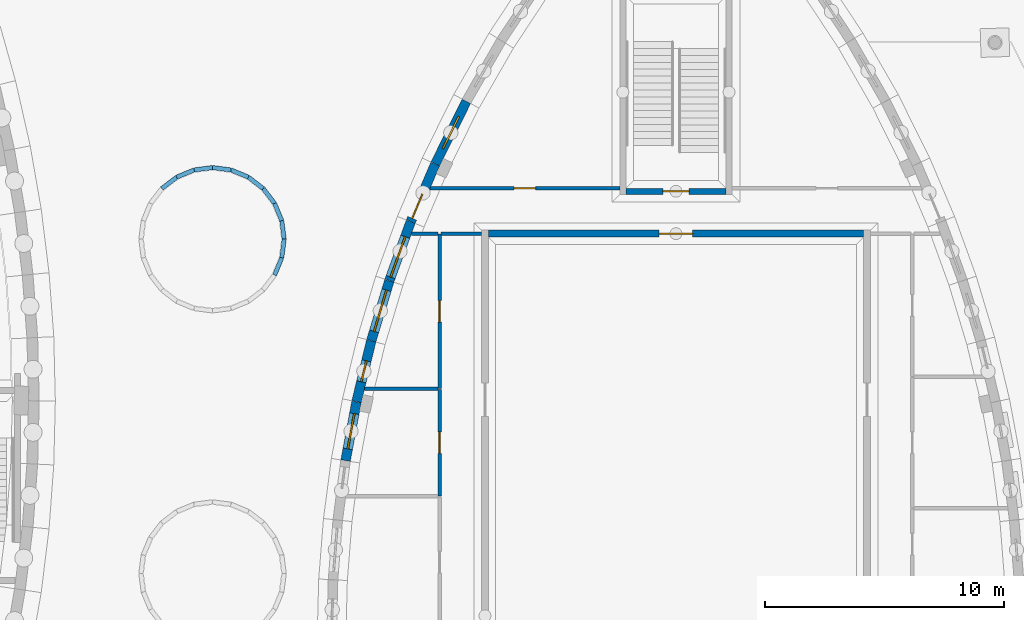
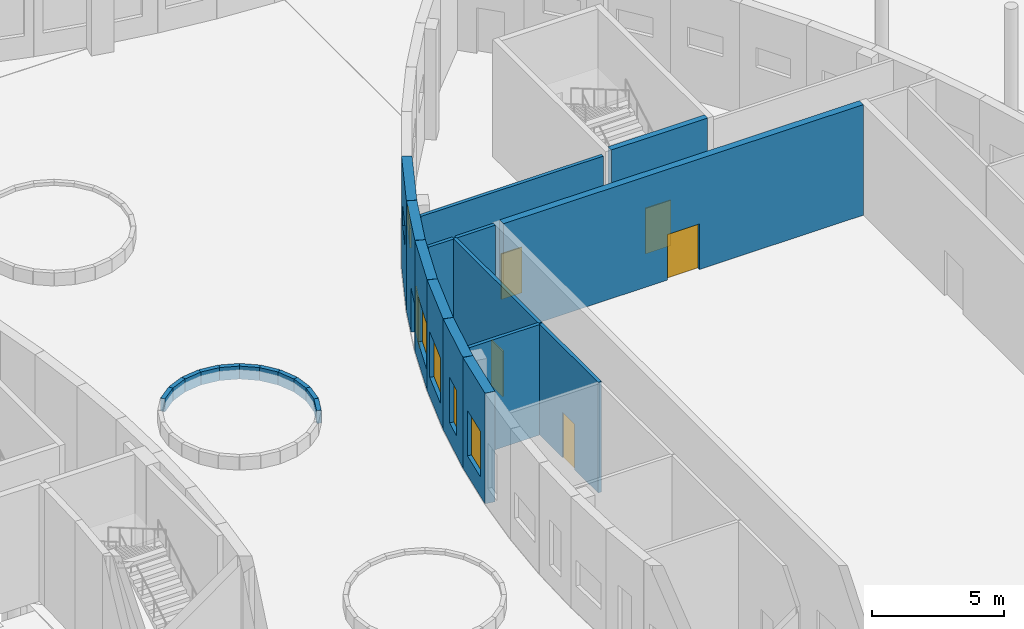
# One storey, part 54 of 82: 25 walls, 6 doors, 5 windows, 11 openings.
"""IFC4 building model written with IfcOpenShell, lengths in metres."""

from ifc_helpers import new_model, si_unit, direction, frame, frame_2d, origin, place, context, subcontext, project, spatial, rectangle, extrude, material, layer, layer_set, type_object, element, fill, save


model = new_model("IFC4")

# Units and contexts
model_context = context("Model", 3, precision=1e-05, world=origin(), true_north=direction((0.0, 1.0)))
body_context = subcontext(model_context, "Body", "Model", "MODEL_VIEW")
ifc_project = project(units=[si_unit("LENGTHUNIT", "METRE"), si_unit("AREAUNIT", "SQUARE_METRE"), si_unit("VOLUMEUNIT", "CUBIC_METRE"), si_unit("PLANEANGLEUNIT", "RADIAN"), si_unit("MASSUNIT", "GRAM", prefix="KILO")], contexts=[model_context])

# Site, building, storey
site_placement = place(None, origin())
site = spatial("IfcSite", under=ifc_project, at=site_placement, CompositionType="ELEMENT")
building_placement = place(site_placement, origin())
building = spatial("IfcBuilding", under=site, at=building_placement, Name="Tide Square Theatres", CompositionType="ELEMENT")
storey_placement = place(building_placement, origin())
storey = spatial("IfcBuildingStorey", under=building, at=storey_placement, Name="L00", CompositionType="ELEMENT", Elevation=0.0)

# Wall
ifc_material_1 = material(Name="Gypsum board on steel studs", Category="steel")
ifc_layer_1 = layer(ifc_material_1, 0.14990234375)
ifc_layer_set_1 = layer_set([ifc_layer_1], Name="Gypsum board on steel studs")
wall_type_1 = type_object("IfcWallType", Name="Partition 150 thick", PredefinedType="PARTITIONING", material=ifc_layer_set_1)
wall_1_placement = place(storey_placement, frame((123.8505859375, 62.0, 0.0), z_axis=(0.0, 0.0, 1.0), x_axis=(-1.0, 0.0, 0.0)))
element("IfcWall", 1, at=wall_1_placement, inside=storey, type_object=wall_type_1, Name="Black Box Theatre partition", PredefinedType="PARTITIONING", context=body_context, shape_type="SweptSolid", body=[
    extrude(rectangle(XDim=1.690673828125, YDim=0.14990234375, at=frame_2d((0.84521484375, 0.0))), origin(), (0.0, 0.0, 1.0), 5.10009765625),
])

# Wall, opening, door
wall_2_placement = place(storey_placement, frame((121.7041015625, 63.89990234375, 0.0), z_axis=(0.0, 0.0, 1.0), x_axis=(1.0, 0.0, 0.0)))
wall_2 = element("IfcWall", 2, at=wall_2_placement, inside=storey, type_object=wall_type_1, Name="Black Box Theatre partition", PredefinedType="PARTITIONING", context=body_context, shape_type="SweptSolid", body=[
    extrude(rectangle(XDim=7.9462890625, YDim=0.14990234375, at=frame_2d((3.97314453125, 0.0))), origin(), (0.0, 0.0, 1.0), 5.10009765625),
])
opening_1_placement = place(wall_2_placement, frame((3.523193359375, 0.0, 0.0)))
opening_1 = element("IfcOpeningElement", 3, at=opening_1_placement, cuts=wall_2, Name="Opening B00-09", PredefinedType="OPENING", context=body_context, shape_type="SweptSolid", body=[
    extrude(rectangle(XDim=0.89990234375, YDim=2.10009765625, at=frame_2d((0.449951171875, 1.050048828125))), frame((0.0, 0.0849609375, 0.0), z_axis=(0.0, -1.0, 0.0), x_axis=(1.0, 0.0, 0.0)), (0.0, 0.0, 1.0), 0.169921875),
])
ifc_material_2 = material(Name="Hardwood timber", Category="wood")
door_type_1 = type_object("IfcDoorType", Name="Door 900 x 2100 single leaf", OperationType="NOTDEFINED", PredefinedType="DOOR", material=ifc_material_2)
door_1_placement = place(opening_1_placement, origin())
door_1 = element("IfcDoor", 4, at=door_1_placement, inside=storey, type_object=door_type_1, Name="Rostra Store door", OperationType="SINGLE_SWING_RIGHT", OverallHeight=2.10009765625, OverallWidth=0.89990234375, PredefinedType="DOOR", context=body_context, shape_type="SweptSolid", body=[
    extrude(rectangle(XDim=0.89990234375, YDim=2.10009765625, at=frame_2d((0.449951171875, 1.050048828125))), frame((0.0, 0.02490234375, 0.0), z_axis=(0.0, -1.0, 0.0), x_axis=(1.0, 0.0, 0.0)), (0.0, 0.0, 1.0), 0.050048828125),
])
fill(opening_1, door_1)

# Wall
wall_3_placement = place(storey_placement, frame((122.0400390625, 62.0, 0.0), z_axis=(0.0, 0.0, 1.0), x_axis=(-1.0, 0.0, 0.0)))
element("IfcWall", 5, at=wall_3_placement, inside=storey, type_object=wall_type_1, Name="Black Box Theatre partition", PredefinedType="PARTITIONING", context=body_context, shape_type="SweptSolid", body=[
    extrude(rectangle(XDim=1.107177734375, YDim=0.14990234375, at=frame_2d((0.5537109375, 0.0))), origin(), (0.0, 0.0, 1.0), 5.10009765625),
])

# Wall, opening, door
wall_4_placement = place(storey_placement, frame((122.10009765625, 51.02001953125, 0.0), z_axis=(0.0, 0.0, 1.0), x_axis=(0.0, 1.0, 0.0)))
wall_4 = element("IfcWall", 6, at=wall_4_placement, inside=storey, type_object=wall_type_1, Name="Black Box Theatre partition", PredefinedType="PARTITIONING", context=body_context, shape_type="SweptSolid", body=[
    extrude(rectangle(XDim=4.4599609375, YDim=0.14990234375, at=frame_2d((2.22998046875, 0.0))), origin(), (0.0, 0.0, 1.0), 5.10009765625),
])
opening_2_placement = place(wall_4_placement, frame((1.780029296875, 0.0, 0.0)))
opening_2 = element("IfcOpeningElement", 7, at=opening_2_placement, cuts=wall_4, Name="Opening B00-14", PredefinedType="OPENING", context=body_context, shape_type="SweptSolid", body=[
    extrude(rectangle(XDim=0.89990234375, YDim=2.10009765625, at=frame_2d((0.449951171875, 1.050048828125))), frame((0.0, 0.0849609375, 0.0), z_axis=(0.0, -1.0, 0.0), x_axis=(1.0, 0.0, 0.0)), (0.0, 0.0, 1.0), 0.169921875),
])
door_2_placement = place(opening_2_placement, origin())
door_2 = element("IfcDoor", 8, at=door_2_placement, inside=storey, type_object=door_type_1, Name="Control Room door", OperationType="SINGLE_SWING_RIGHT", OverallHeight=2.10009765625, OverallWidth=0.89990234375, PredefinedType="DOOR", context=body_context, shape_type="SweptSolid", body=[
    extrude(rectangle(XDim=0.89990234375, YDim=2.10009765625, at=frame_2d((0.449951171875, 1.050048828125))), frame((0.0, 0.02490234375, 0.0), z_axis=(0.0, -1.0, 0.0), x_axis=(1.0, 0.0, 0.0)), (0.0, 0.0, 1.0), 0.050048828125),
])
fill(opening_2, door_2)

wall_5_placement = place(storey_placement, frame((122.10009765625, 55.52001953125, 0.0), z_axis=(0.0, 0.0, 1.0), x_axis=(0.0, 1.0, 0.0)))
wall_5 = element("IfcWall", 9, at=wall_5_placement, inside=storey, type_object=wall_type_1, Name="Black Box Theatre partition", PredefinedType="PARTITIONING", context=body_context, shape_type="SweptSolid", body=[
    extrude(rectangle(XDim=6.4599609375, YDim=0.14990234375, at=frame_2d((3.22998046875, 0.0))), origin(), (0.0, 0.0, 1.0), 5.10009765625),
])
opening_3_placement = place(wall_5_placement, frame((2.780029296875, 0.0, 0.0)))
opening_3 = element("IfcOpeningElement", 10, at=opening_3_placement, cuts=wall_5, Name="Opening B00-15", PredefinedType="OPENING", context=body_context, shape_type="SweptSolid", body=[
    extrude(rectangle(XDim=0.89990234375, YDim=2.10009765625, at=frame_2d((0.449951171875, 1.050048828125))), frame((0.0, 0.0849609375, 0.0), z_axis=(0.0, -1.0, 0.0), x_axis=(1.0, 0.0, 0.0)), (0.0, 0.0, 1.0), 0.169921875),
])
door_3_placement = place(opening_3_placement, origin())
door_3 = element("IfcDoor", 11, at=door_3_placement, inside=storey, type_object=door_type_1, Name="Community Room door", OperationType="SINGLE_SWING_RIGHT", OverallHeight=2.10009765625, OverallWidth=0.89990234375, PredefinedType="DOOR", context=body_context, shape_type="SweptSolid", body=[
    extrude(rectangle(XDim=0.89990234375, YDim=2.10009765625, at=frame_2d((0.449951171875, 1.050048828125))), frame((0.0, 0.02490234375, 0.0), z_axis=(0.0, -1.0, 0.0), x_axis=(1.0, 0.0, 0.0)), (0.0, 0.0, 1.0), 0.050048828125),
])
fill(opening_3, door_3)

# Wall
wall_6_placement = place(storey_placement, frame((118.9580078125, 55.5, 0.0), z_axis=(0.0, 0.0, 1.0), x_axis=(1.0, 0.0, 0.0)))
element("IfcWall", 12, at=wall_6_placement, inside=storey, type_object=wall_type_1, Name="Black Box Theatre partition", PredefinedType="PARTITIONING", context=body_context, shape_type="SweptSolid", body=[
    extrude(rectangle(XDim=3.08203125, YDim=0.14990234375, at=frame_2d((1.541015625, 0.0))), origin(), (0.0, 0.0, 1.0), 5.10009765625),
])

# Wall, opening, window
ifc_material_3 = material(Name="Concrete C40", Category="concrete")
ifc_layer_2 = layer(ifc_material_3, 0.39990234375)
ifc_layer_set_2 = layer_set([ifc_layer_2], Name="Concrete C40")
wall_type_2 = type_object("IfcWallType", Name="RC curved wall 400 thick", PredefinedType="SOLIDWALL", material=ifc_layer_set_2)
wall_7_placement = place(storey_placement, frame((123.2197265625, 67.537353515625, 0.0), z_axis=(0.0, 0.0, 1.0), x_axis=(-0.44433489597, -0.895860759395, 0.0)))
wall_7 = element("IfcWall", 13, at=wall_7_placement, inside=storey, type_object=wall_type_2, Name="Black Box Theatre perimeter wall", PredefinedType="SOLIDWALL", context=body_context, shape_type="SweptSolid", body=[
    extrude(rectangle(XDim=2.919677734375, YDim=0.39990234375, at=frame_2d((1.4599609375, 0.0))), origin(), (0.0, 0.0, 1.0), 5.10009765625),
])
opening_4_placement = place(wall_7_placement, frame((0.7099609375, 0.0, 2.39990234375)))
opening_4 = element("IfcOpeningElement", 14, at=opening_4_placement, cuts=wall_7, Name="Opening WN-04", PredefinedType="OPENING", context=body_context, shape_type="SweptSolid", body=[
    extrude(rectangle(XDim=1.5, YDim=0.89990234375, at=frame_2d((0.75, 0.449951171875))), frame((0.0, 0.2099609375, 0.0), z_axis=(0.0, -1.0, 0.0), x_axis=(1.0, 0.0, 0.0)), (0.0, 0.0, 1.0), 0.419921875),
])
ifc_material_4 = material(Name="Aluminium with laminated glass", Category="aluminium")
window_type_1 = type_object("IfcWindowType", Name="Window 1500 x 900", PartitioningType="SINGLE_PANEL", PredefinedType="WINDOW", material=ifc_material_4)
window_1_placement = place(opening_4_placement, origin())
window_1 = element("IfcWindow", 15, at=window_1_placement, inside=storey, type_object=window_type_1, Name="Black Box Theatre Rostra Store window", OverallHeight=0.89990234375, OverallWidth=1.5, PartitioningType="SINGLE_PANEL", PredefinedType="WINDOW", context=body_context, shape_type="SweptSolid", body=[
    extrude(rectangle(XDim=1.5, YDim=0.89990234375, at=frame_2d((0.75, 0.449951171875))), frame((0.0, 0.030029296875, 0.0), z_axis=(0.0, -1.0, 0.0), x_axis=(1.0, 0.0, 0.0)), (0.0, 0.0, 1.0), 0.06005859375),
])
fill(opening_4, window_1)

# Wall, opening, door
wall_8_placement = place(storey_placement, frame((121.91748046875, 64.910888671875, 0.0), z_axis=(0.0, 0.0, 1.0), x_axis=(-0.391529943778, -0.920165367271, 0.0)))
wall_8 = element("IfcWall", 16, at=wall_8_placement, inside=storey, type_object=wall_type_2, Name="Black Box Theatre perimeter wall", PredefinedType="SOLIDWALL", context=body_context, shape_type="SweptSolid", body=[
    extrude(rectangle(XDim=2.61572265625, YDim=0.39990234375, at=frame_2d((1.307861328125, 0.0))), origin(), (0.0, 0.0, 1.0), 5.10009765625),
])
opening_5_placement = place(wall_8_placement, frame((1.365966796875, 0.0, 0.0)))
opening_5 = element("IfcOpeningElement", 17, at=opening_5_placement, cuts=wall_8, Name="Opening B00-01", PredefinedType="OPENING", context=body_context, shape_type="SweptSolid", body=[
    extrude(rectangle(XDim=1.10009765625, YDim=2.10009765625, at=frame_2d((0.550048828125, 1.050048828125))), frame((0.0, 0.2099609375, 0.0), z_axis=(0.0, -1.0, 0.0), x_axis=(1.0, 0.0, 0.0)), (0.0, 0.0, 1.0), 0.419921875),
])
ifc_material_5 = material(Name="Painted steel", Category="steel")
door_type_2 = type_object("IfcDoorType", Name="Door 1100 x 2100 single leaf", OperationType="NOTDEFINED", PredefinedType="DOOR", material=ifc_material_5)
door_4_placement = place(opening_5_placement, frame((1.10009765625, 0.0, 0.0), z_axis=(0.0, 0.0, 1.0), x_axis=(-1.0, 0.0, 0.0)))
door_4 = element("IfcDoor", 18, at=door_4_placement, inside=storey, type_object=door_type_2, Name="Black Box Theatre stage door exit north-west", OperationType="SINGLE_SWING_RIGHT", OverallHeight=2.10009765625, OverallWidth=1.10009765625, PredefinedType="DOOR", context=body_context, shape_type="SweptSolid", body=[
    extrude(rectangle(XDim=1.10009765625, YDim=2.10009765625, at=frame_2d((0.550048828125, 1.050048828125))), frame((0.0, 0.02490234375, 0.0), z_axis=(0.0, -1.0, 0.0), x_axis=(1.0, 0.0, 0.0)), (0.0, 0.0, 1.0), 0.050048828125),
])
fill(opening_5, door_4)

# Wall, opening, window
wall_9_placement = place(storey_placement, frame((120.889404296875, 62.49365234375, 0.0), z_axis=(0.0, 0.0, 1.0), x_axis=(-0.340394146267, -0.940282843184, 0.0)))
wall_9 = element("IfcWall", 19, at=wall_9_placement, inside=storey, type_object=wall_type_2, Name="Black Box Theatre perimeter wall", PredefinedType="SOLIDWALL", context=body_context, shape_type="SweptSolid", body=[
    extrude(rectangle(XDim=2.616455078125, YDim=0.39990234375, at=frame_2d((1.30810546875, 0.0))), origin(), (0.0, 0.0, 1.0), 5.10009765625),
])
opening_6_placement = place(wall_9_placement, frame((0.65966796875, 0.0, 0.89990234375)))
opening_6 = element("IfcOpeningElement", 20, at=opening_6_placement, cuts=wall_9, Name="Opening WN-14", PredefinedType="OPENING", context=body_context, shape_type="SweptSolid", body=[
    extrude(rectangle(XDim=1.800048828125, YDim=2.10009765625, at=frame_2d((0.89990234375, 1.050048828125))), frame((0.0, 0.2099609375, 0.0), z_axis=(0.0, -1.0, 0.0), x_axis=(1.0, 0.0, 0.0)), (0.0, 0.0, 1.0), 0.419921875),
])
ifc_material_6 = material(Name="Aluminium with laminated glass", Category="aluminium")
window_type_2 = type_object("IfcWindowType", Name="Window 1800 x 2100", PartitioningType="DOUBLE_PANEL_VERTICAL", PredefinedType="WINDOW", material=ifc_material_6)
window_2_placement = place(opening_6_placement, origin())
window_2 = element("IfcWindow", 21, at=window_2_placement, inside=storey, type_object=window_type_2, Name="Black Box Theatre Community Room window", OverallHeight=2.10009765625, OverallWidth=1.800048828125, PartitioningType="SINGLE_PANEL", PredefinedType="WINDOW", context=body_context, shape_type="SweptSolid", body=[
    extrude(rectangle(XDim=1.800048828125, YDim=2.10009765625, at=frame_2d((0.89990234375, 1.050048828125))), frame((0.0, 0.030029296875, 0.0), z_axis=(0.0, -1.0, 0.0), x_axis=(1.0, 0.0, 0.0)), (0.0, 0.0, 1.0), 0.06005859375),
])
fill(opening_6, window_2)

wall_10_placement = place(storey_placement, frame((119.995361328125, 60.02294921875, 0.0), z_axis=(0.0, 0.0, 1.0), x_axis=(-0.288212317298, -0.957566530408, 0.0)))
wall_10 = element("IfcWall", 22, at=wall_10_placement, inside=storey, type_object=wall_type_2, Name="Black Box Theatre perimeter wall", PredefinedType="SOLIDWALL", context=body_context, shape_type="SweptSolid", body=[
    extrude(rectangle(XDim=2.61669921875, YDim=0.39990234375, at=frame_2d((1.308349609375, 0.0))), origin(), (0.0, 0.0, 1.0), 5.10009765625),
])
opening_7_placement = place(wall_10_placement, frame((0.408203125, 0.0, 0.89990234375)))
opening_7 = element("IfcOpeningElement", 23, at=opening_7_placement, cuts=wall_10, Name="Opening WN-14", PredefinedType="OPENING", context=body_context, shape_type="SweptSolid", body=[
    extrude(rectangle(XDim=1.800048828125, YDim=2.10009765625, at=frame_2d((0.89990234375, 1.050048828125))), frame((0.0, 0.2099609375, 0.0), z_axis=(0.0, -1.0, 0.0), x_axis=(1.0, 0.0, 0.0)), (0.0, 0.0, 1.0), 0.419921875),
])
window_3_placement = place(opening_7_placement, origin())
window_3 = element("IfcWindow", 24, at=window_3_placement, inside=storey, type_object=window_type_2, Name="Black Box Theatre Community Room window", OverallHeight=2.10009765625, OverallWidth=1.800048828125, PartitioningType="SINGLE_PANEL", PredefinedType="WINDOW", context=body_context, shape_type="SweptSolid", body=[
    extrude(rectangle(XDim=1.800048828125, YDim=2.10009765625, at=frame_2d((0.89990234375, 1.050048828125))), frame((0.0, 0.030029296875, 0.0), z_axis=(0.0, -1.0, 0.0), x_axis=(1.0, 0.0, 0.0)), (0.0, 0.0, 1.0), 0.06005859375),
])
fill(opening_7, window_3)

wall_11_placement = place(storey_placement, frame((119.23828125, 57.5068359375, 0.0), z_axis=(0.0, 0.0, 1.0), x_axis=(-0.235108668597, -0.971969091047, 0.0)))
wall_11 = element("IfcWall", 25, at=wall_11_placement, inside=storey, type_object=wall_type_2, Name="Black Box Theatre perimeter wall", PredefinedType="SOLIDWALL", context=body_context, shape_type="SweptSolid", body=[
    extrude(rectangle(XDim=2.61669921875, YDim=0.39990234375, at=frame_2d((1.308349609375, 0.0))), origin(), (0.0, 0.0, 1.0), 5.10009765625),
])
opening_8_placement = place(wall_11_placement, frame((0.8583984375, 0.0, 0.89990234375)))
opening_8 = element("IfcOpeningElement", 26, at=opening_8_placement, cuts=wall_11, Name="Opening WN-10", PredefinedType="OPENING", context=body_context, shape_type="SweptSolid", body=[
    extrude(rectangle(XDim=0.89990234375, YDim=2.10009765625, at=frame_2d((0.449951171875, 1.050048828125))), frame((0.0, 0.2099609375, 0.0), z_axis=(0.0, -1.0, 0.0), x_axis=(1.0, 0.0, 0.0)), (0.0, 0.0, 1.0), 0.419921875),
])
ifc_material_7 = material(Name="Aluminium with laminated glass", Category="aluminium")
window_type_3 = type_object("IfcWindowType", Name="Window 900 x 2100", PartitioningType="SINGLE_PANEL", PredefinedType="WINDOW", material=ifc_material_7)
window_4_placement = place(opening_8_placement, origin())
window_4 = element("IfcWindow", 27, at=window_4_placement, inside=storey, type_object=window_type_3, Name="Black Box Theatre Community Room window", OverallHeight=2.10009765625, OverallWidth=0.89990234375, PartitioningType="SINGLE_PANEL", PredefinedType="WINDOW", context=body_context, shape_type="SweptSolid", body=[
    extrude(rectangle(XDim=0.89990234375, YDim=2.10009765625, at=frame_2d((0.449951171875, 1.050048828125))), frame((0.0, 0.030029296875, 0.0), z_axis=(0.0, -1.0, 0.0), x_axis=(1.0, 0.0, 0.0)), (0.0, 0.0, 1.0), 0.06005859375),
])
fill(opening_8, window_4)

wall_12_placement = place(storey_placement, frame((118.620849609375, 54.952880859375, 0.0), z_axis=(0.0, 0.0, 1.0), x_axis=(-0.182652956339, -0.983177449671, 0.0)))
wall_12 = element("IfcWall", 28, at=wall_12_placement, inside=storey, type_object=wall_type_2, Name="Black Box Theatre perimeter wall", PredefinedType="SOLIDWALL", context=body_context, shape_type="SweptSolid", body=[
    extrude(rectangle(XDim=2.496826171875, YDim=0.39990234375, at=frame_2d((1.24853515625, 0.0))), origin(), (0.0, 0.0, 1.0), 5.10009765625),
])
opening_9_placement = place(wall_12_placement, frame((0.498291015625, 0.0, 0.89990234375)))
opening_9 = element("IfcOpeningElement", 29, at=opening_9_placement, cuts=wall_12, Name="Opening WN-01", PredefinedType="OPENING", context=body_context, shape_type="SweptSolid", body=[
    extrude(rectangle(XDim=1.5, YDim=2.10009765625, at=frame_2d((0.75, 1.050048828125))), frame((0.0, 0.2099609375, 0.0), z_axis=(0.0, -1.0, 0.0), x_axis=(1.0, 0.0, 0.0)), (0.0, 0.0, 1.0), 0.419921875),
])
ifc_material_8 = material(Name="Aluminium with laminated glass", Category="aluminium")
window_type_4 = type_object("IfcWindowType", Name="Window 1500 x 2100", PartitioningType="SINGLE_PANEL", PredefinedType="WINDOW", material=ifc_material_8)
window_5_placement = place(opening_9_placement, origin())
window_5 = element("IfcWindow", 30, at=window_5_placement, inside=storey, type_object=window_type_4, Name="Black Box Theatre Control Room window", OverallHeight=2.10009765625, OverallWidth=1.5, PartitioningType="SINGLE_PANEL", PredefinedType="WINDOW", context=body_context, shape_type="SweptSolid", body=[
    extrude(rectangle(XDim=1.5, YDim=2.10009765625, at=frame_2d((0.75, 1.050048828125))), frame((0.0, 0.030029296875, 0.0), z_axis=(0.0, -1.0, 0.0), x_axis=(1.0, 0.0, 0.0)), (0.0, 0.0, 1.0), 0.06005859375),
])
fill(opening_9, window_5)

# Walls
ifc_material_9 = material(Name="Concrete C40", Category="concrete")
ifc_layer_3 = layer(ifc_material_9, 0.179931640625)
ifc_layer_set_3 = layer_set([ifc_layer_3], Name="Concrete C40")
wall_type_3 = type_object("IfcWallType", Name="RC parapet 180 thick", PredefinedType="PARAPET", material=ifc_layer_set_3)
wall_13_placement = place(storey_placement, frame((115.593017578125, 61.766845703125, 0.0), z_axis=(0.0, 0.0, 1.0), x_axis=(-0.130591571678, -0.991436251812, 0.0)))
element("IfcWall", 31, at=wall_13_placement, inside=storey, type_object=wall_type_3, Name="Planter wall", PredefinedType="PARAPET", context=body_context, shape_type="SweptSolid", body=[
    extrude(rectangle(XDim=0.783203125, YDim=0.179931640625, at=frame_2d((0.3916015625, 0.0))), origin(), (0.0, 0.0, 1.0), 0.60009765625),
])
wall_14_placement = place(storey_placement, frame((115.49072265625, 60.990234375, 0.0), z_axis=(0.0, 0.0, 1.0), x_axis=(-0.382865774813, -0.923803982713, 0.0)))
element("IfcWall", 32, at=wall_14_placement, inside=storey, type_object=wall_type_3, Name="Planter wall", PredefinedType="PARAPET", context=body_context, shape_type="SweptSolid", body=[
    extrude(rectangle(XDim=0.782958984375, YDim=0.179931640625, at=frame_2d((0.3916015625, 0.0))), origin(), (0.0, 0.0, 1.0), 0.60009765625),
])
wall_15_placement = place(storey_placement, frame((110.4716796875, 63.88818359375, 0.0), z_axis=(0.0, 0.0, 1.0), x_axis=(0.793330333374, 0.608791411033, 0.0)))
element("IfcWall", 33, at=wall_15_placement, inside=storey, type_object=wall_type_3, Name="Planter wall", PredefinedType="PARAPET", context=body_context, shape_type="SweptSolid", body=[
    extrude(rectangle(XDim=0.783203125, YDim=0.179931640625, at=frame_2d((0.3916015625, 0.0))), origin(), (0.0, 0.0, 1.0), 0.60009765625),
])
wall_16_placement = place(storey_placement, frame((111.093017578125, 64.364990234375, 0.0), z_axis=(0.0, 0.0, 1.0), x_axis=(0.923914231908, 0.382599649866, 0.0)))
element("IfcWall", 34, at=wall_16_placement, inside=storey, type_object=wall_type_3, Name="Planter wall", PredefinedType="PARAPET", context=body_context, shape_type="SweptSolid", body=[
    extrude(rectangle(XDim=0.782958984375, YDim=0.179931640625, at=frame_2d((0.3916015625, 0.0))), origin(), (0.0, 0.0, 1.0), 0.60009765625),
])
wall_17_placement = place(storey_placement, frame((111.81640625, 64.66455078125, 0.0), z_axis=(0.0, 0.0, 1.0), x_axis=(0.991436251812, 0.130591571678, 0.0)))
element("IfcWall", 35, at=wall_17_placement, inside=storey, type_object=wall_type_3, Name="Planter wall", PredefinedType="PARAPET", context=body_context, shape_type="SweptSolid", body=[
    extrude(rectangle(XDim=0.783203125, YDim=0.179931640625, at=frame_2d((0.3916015625, 0.0))), origin(), (0.0, 0.0, 1.0), 0.60009765625),
])
wall_18_placement = place(storey_placement, frame((112.593017578125, 64.766845703125, 0.0), z_axis=(0.0, 0.0, 1.0), x_axis=(0.991430934002, -0.130631937531, 0.0)))
element("IfcWall", 36, at=wall_18_placement, inside=storey, type_object=wall_type_3, Name="Planter wall", PredefinedType="PARAPET", context=body_context, shape_type="SweptSolid", body=[
    extrude(rectangle(XDim=0.782958984375, YDim=0.179931640625, at=frame_2d((0.3916015625, 0.0))), origin(), (0.0, 0.0, 1.0), 0.60009765625),
])
wall_19_placement = place(storey_placement, frame((113.369384765625, 64.66455078125, 0.0), z_axis=(0.0, 0.0, 1.0), x_axis=(0.923959856763, -0.382489454875, 0.0)))
element("IfcWall", 37, at=wall_19_placement, inside=storey, type_object=wall_type_3, Name="Planter wall", PredefinedType="PARAPET", context=body_context, shape_type="SweptSolid", body=[
    extrude(rectangle(XDim=0.783203125, YDim=0.179931640625, at=frame_2d((0.3916015625, 0.0))), origin(), (0.0, 0.0, 1.0), 0.60009765625),
])
wall_20_placement = place(storey_placement, frame((114.093017578125, 64.364990234375, 0.0), z_axis=(0.0, 0.0, 1.0), x_axis=(0.793214758236, -0.608941990108, 0.0)))
element("IfcWall", 38, at=wall_20_placement, inside=storey, type_object=wall_type_3, Name="Planter wall", PredefinedType="PARAPET", context=body_context, shape_type="SweptSolid", body=[
    extrude(rectangle(XDim=0.782958984375, YDim=0.179931640625, at=frame_2d((0.3916015625, 0.0))), origin(), (0.0, 0.0, 1.0), 0.60009765625),
])
for number, where, z_axis, x_axis, name in (
    (39, (114.714111328125, 63.88818359375, 0.0), (0.0, 0.0, 1.0), (0.608791411033, -0.793330333374, 0.0), "Planter wall"),
    (40, (115.19091796875, 63.266845703125, 0.0), (0.0, 0.0, 1.0), (0.382755529478, -0.923849665613, 0.0), "Planter wall"),
):
    element("IfcWall", number, at=place(storey_placement, frame(where, z_axis=z_axis, x_axis=x_axis)), inside=storey, type_object=wall_type_3, Name=name, PredefinedType="PARAPET", context=body_context, shape_type="SweptSolid", body=[
        extrude(rectangle(XDim=0.783203125, YDim=0.179931640625, at=frame_2d((0.3916015625, 0.0))), origin(), (0.0, 0.0, 1.0), 0.60009765625),
    ])
wall_21_placement = place(storey_placement, frame((115.49072265625, 62.543212890625, 0.0), z_axis=(0.0, 0.0, 1.0), x_axis=(0.130631937531, -0.991430934002, 0.0)))
element("IfcWall", 41, at=wall_21_placement, inside=storey, type_object=wall_type_3, Name="Planter wall", PredefinedType="PARAPET", context=body_context, shape_type="SweptSolid", body=[
    extrude(rectangle(XDim=0.782958984375, YDim=0.179931640625, at=frame_2d((0.3916015625, 0.0))), origin(), (0.0, 0.0, 1.0), 0.60009765625),
])

# Wall, opening, door
ifc_material_10 = material(Name="Concrete C40", Category="concrete")
ifc_layer_4 = layer(ifc_material_10, 0.25)
ifc_layer_set_4 = layer_set([ifc_layer_4], Name="Concrete C40")
wall_type_4 = type_object("IfcWallType", Name="RC shear wall 250 thick", PredefinedType="SHEAR", material=ifc_layer_set_4)
wall_22_placement = place(storey_placement, frame((134.10009765625, 63.77490234375, 0.0), z_axis=(0.0, 0.0, 1.0), x_axis=(-1.0, 0.0, 0.0)))
wall_22 = element("IfcWall", 42, at=wall_22_placement, inside=storey, type_object=wall_type_4, Name="Black Box Theatre Stair B1 shaft wall", PredefinedType="SHEAR", context=body_context, shape_type="SweptSolid", body=[
    extrude(rectangle(XDim=4.2001953125, YDim=0.25, at=frame_2d((2.10009765625, 0.0))), origin(), (0.0, 0.0, 1.0), 5.39990234375),
])
opening_10_placement = place(wall_22_placement, frame((1.550048828125, 0.0, 0.0)))
opening_10 = element("IfcOpeningElement", 43, at=opening_10_placement, cuts=wall_22, Name="Opening B00-22", PredefinedType="OPENING", context=body_context, shape_type="SweptSolid", body=[
    extrude(rectangle(XDim=1.10009765625, YDim=2.10009765625, at=frame_2d((0.550048828125, 1.050048828125))), frame((0.0, 0.135009765625, 0.0), z_axis=(0.0, -1.0, 0.0), x_axis=(1.0, 0.0, 0.0)), (0.0, 0.0, 1.0), 0.27001953125),
])
door_5_placement = place(opening_10_placement, origin())
door_5 = element("IfcDoor", 44, at=door_5_placement, inside=storey, type_object=door_type_2, Name="Black Box Theatre stair door", OperationType="SINGLE_SWING_RIGHT", OverallHeight=2.10009765625, OverallWidth=1.10009765625, PredefinedType="DOOR", context=body_context, shape_type="SweptSolid", body=[
    extrude(rectangle(XDim=1.10009765625, YDim=2.10009765625, at=frame_2d((0.550048828125, 1.050048828125))), frame((0.0, 0.02490234375, 0.0), z_axis=(0.0, -1.0, 0.0), x_axis=(1.0, 0.0, 0.0)), (0.0, 0.0, 1.0), 0.050048828125),
])
fill(opening_10, door_5)

ifc_material_11 = material(Name="Concrete C40", Category="concrete")
ifc_layer_5 = layer(ifc_material_11, 0.300048828125)
ifc_layer_set_5 = layer_set([ifc_layer_5], Name="Concrete C40")
wall_type_5 = type_object("IfcWallType", Name="RC shear wall 300 thick", PredefinedType="SHEAR", material=ifc_layer_set_5)
wall_23_placement = place(storey_placement, frame((124.14990234375, 62.0, 0.0), z_axis=(0.0, 0.0, 1.0), x_axis=(1.0, 0.0, 0.0)))
wall_23 = element("IfcWall", 45, at=wall_23_placement, inside=storey, type_object=wall_type_5, Name="Black Box Theatre auditorium wall", PredefinedType="SHEAR", context=body_context, shape_type="SweptSolid", body=[
    extrude(rectangle(XDim=15.7001953125, YDim=0.300048828125, at=frame_2d((7.85009765625, 0.0))), origin(), (0.0, 0.0, 1.0), 5.10009765625),
])
opening_11_placement = place(wall_23_placement, frame((7.14990234375, 0.0, 0.0)))
opening_11 = element("IfcOpeningElement", 46, at=opening_11_placement, cuts=wall_23, Name="Opening B00-27", PredefinedType="OPENING", context=body_context, shape_type="SweptSolid", body=[
    extrude(rectangle(XDim=1.39990234375, YDim=2.10009765625, at=frame_2d((0.699951171875, 1.050048828125))), frame((0.0, 0.159912109375, 0.0), z_axis=(0.0, -1.0, 0.0), x_axis=(1.0, 0.0, 0.0)), (0.0, 0.0, 1.0), 0.320068359375),
])
ifc_material_12 = material(Name="Hardwood timber", Category="wood")
door_type_3 = type_object("IfcDoorType", Name="Door 1400 x 2100 double leaf", OperationType="DOUBLE_DOOR_SINGLE_SWING", PredefinedType="DOOR", material=ifc_material_12)
door_6_placement = place(opening_11_placement, origin())
door_6 = element("IfcDoor", 47, at=door_6_placement, inside=storey, type_object=door_type_3, Name="Black Box Theatre auditorium door", OperationType="DOUBLE_DOOR_SINGLE_SWING", OverallHeight=2.10009765625, OverallWidth=1.39990234375, PredefinedType="DOOR", context=body_context, shape_type="SweptSolid", body=[
    extrude(rectangle(XDim=1.39990234375, YDim=2.10009765625, at=frame_2d((0.699951171875, 1.050048828125))), frame((0.0, 0.02490234375, 0.0), z_axis=(0.0, -1.0, 0.0), x_axis=(1.0, 0.0, 0.0)), (0.0, 0.0, 1.0), 0.050048828125),
])
fill(opening_11, door_6)

save(model, "model.ifc")
